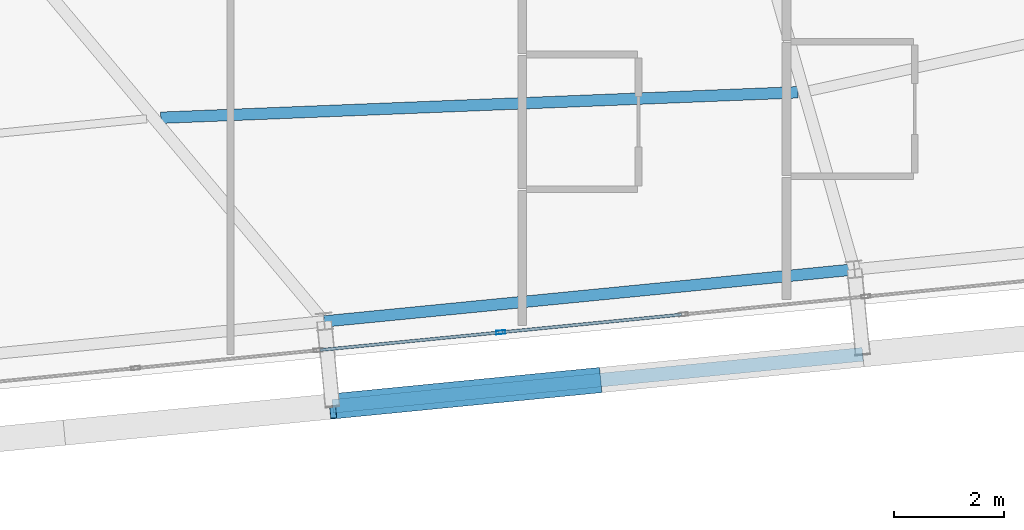
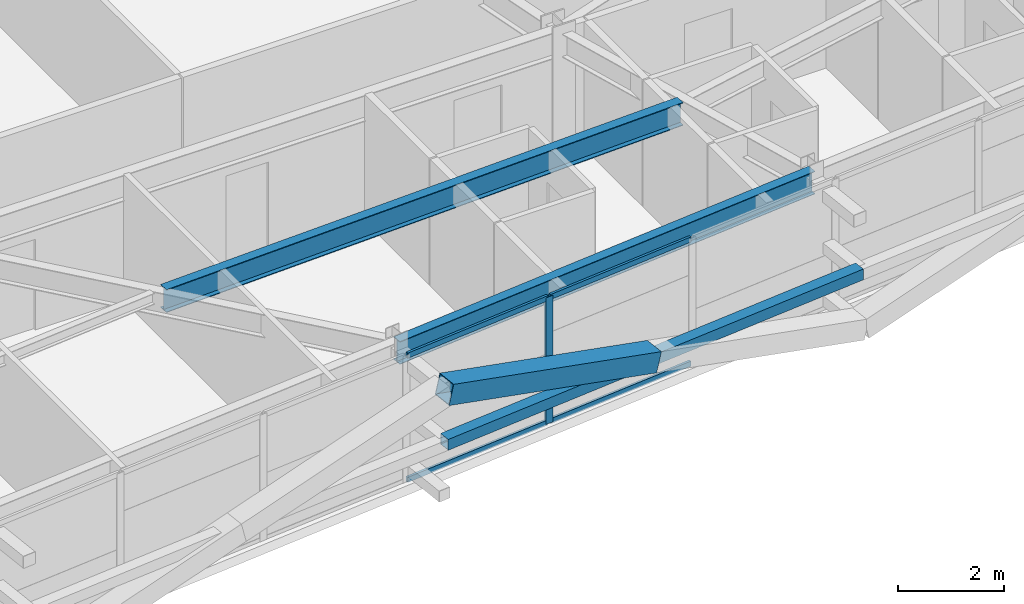
# One storey, part 11 of 53: 7 members, 2 beams, 1 element without a shape of its own.
"""IFC4 building model written with IfcOpenShell, lengths in metres."""

from ifc_helpers import new_model, si_unit, direction, frame, origin, origin_2d, place, context, subcontext, project, spatial, hollow_rectangle, i_section, extrude, source, transform, mapped, material, layer, layer_set, material_profile, profile_set, type_object, element, aggregate, save


model = new_model("IFC4")

# Units and contexts
model_context = context("Model", 3, precision=1e-05, world=origin(), true_north=direction((0.0, 1.0)))
body_context = subcontext(model_context, "Body", "Model", "MODEL_VIEW")
ifc_project = project(units=[si_unit("LENGTHUNIT", "METRE"), si_unit("AREAUNIT", "SQUARE_METRE"), si_unit("VOLUMEUNIT", "CUBIC_METRE"), si_unit("PLANEANGLEUNIT", "RADIAN"), si_unit("MASSUNIT", "GRAM", prefix="KILO")], contexts=[model_context])

# Site, building, storey
site_placement = place(None, origin())
site = spatial("IfcSite", under=ifc_project, at=site_placement, CompositionType="ELEMENT")
building_placement = place(site_placement, origin())
building = spatial("IfcBuilding", under=site, at=building_placement, Name="Taldren Reach Tower", CompositionType="ELEMENT")
storey_placement = place(building_placement, frame((0.0, 0.0, 71.39990234375)))
storey = spatial("IfcBuildingStorey", under=building, at=storey_placement, Name="L21", CompositionType="ELEMENT", Elevation=71.39990234375)

# Beams
ifc_material_1 = material(Name="Steel Gr 350 (350PLUS)", Category="steel")
ifc_material_profile_1 = material_profile(ifc_material_1, i_section(OverallWidth=0.208984375, OverallDepth=0.528076171875, WebThickness=0.009521484375, FlangeThickness=0.01318359375, at=origin_2d()), Name="530UB82.0")
ifc_profile_set_1 = profile_set([ifc_material_profile_1], Name="Steel Gr 350 (350PLUS)")
beam_type_1 = type_object("IfcBeamType", Name="SP-UB530B", PredefinedType="SPANDREL", material=ifc_profile_set_1)
shared_shape_1 = source(origin(), body_context, "Body", "SweptSolid", [
    extrude(i_section(OverallWidth=0.208984375, OverallDepth=0.528076171875, WebThickness=0.009521484375, FlangeThickness=0.01318359375, at=origin_2d()), origin(), (0.0, 0.0, 1.0), 9.679931640625),
])
beam_1_placement = place(storey_placement, frame((34.20166015625, 1.809326171875, 2.666015625), z_axis=(0.995227612658, 0.097580730699, 0.0), x_axis=(-0.097580730699, 0.995227612658, 0.0)))
element("IfcBeam", 1, at=beam_1_placement, inside=storey, type_object=beam_type_1, Name="Perimeter spandrel B2 S3-S4 L21", PredefinedType="SPANDREL", context=body_context, shape_type="MappedRepresentation", body=[
    mapped(shared_shape_1, transform((0.0, 0.0, 0.0), scale=1.0)),
])
ifc_material_profile_2 = material_profile(ifc_material_1, i_section(OverallWidth=0.208984375, OverallDepth=0.532958984375, WebThickness=0.01025390625, FlangeThickness=0.015625, at=origin_2d()), Name="530UB92.4")
ifc_profile_set_2 = profile_set([ifc_material_profile_2], Name="Steel Gr 350 (350PLUS)")
beam_type_2 = type_object("IfcBeamType", Name="BM-UB530A", PredefinedType="BEAM", material=ifc_profile_set_2)
shared_shape_2 = source(origin(), body_context, "Body", "SweptSolid", [
    extrude(i_section(OverallWidth=0.208984375, OverallDepth=0.532958984375, WebThickness=0.01025390625, FlangeThickness=0.015625, at=origin_2d()), origin(), (0.0, 0.0, 1.0), 11.586669921875),
])
beam_2_placement = place(storey_placement, frame((31.23291015625, 5.510009765625, 2.66357421875), z_axis=(0.999202506312, 0.039929329821, 0.0), x_axis=(-0.039929329821, 0.999202506312, 0.0)))
element("IfcBeam", 2, at=beam_2_placement, inside=storey, type_object=beam_type_2, Name="Secondary floor beam B2 J3 L21", PredefinedType="BEAM", context=body_context, shape_type="MappedRepresentation", body=[
    mapped(shared_shape_2, transform((0.0, 0.0, 0.0), scale=1.0)),
])

# Members
ifc_material_2 = material(Name="Steel Gr 450 (C450L0)", Category="steel")
ifc_material_profile_3 = material_profile(ifc_material_2, hollow_rectangle(XDim=0.4599609375, YDim=0.4599609375, WallThickness=0.01611328125, at=origin_2d()), Name="460x460x16.0SHS")
ifc_profile_set_3 = profile_set([ifc_material_profile_3], Name="Steel Gr 450 (C450L0)")
member_type_1 = type_object("IfcMemberType", Name="MB-EXO457", PredefinedType="BRACE", material=ifc_profile_set_3)
shared_shape_3 = source(origin(), body_context, "Body", "SweptSolid", [
    extrude(hollow_rectangle(XDim=0.4599609375, YDim=0.4599609375, WallThickness=0.01611328125, at=origin_2d()), origin(), (0.0, 0.0, 1.0), 4.990234375),
])
member_1_placement = place(storey_placement, frame((39.169921875, 0.739013671875, 1.43505859375), z_axis=(-0.965271056716, -0.094667992638, 0.243494883389), x_axis=(0.097605711627, -0.995225162995, 0.0)))
element("IfcMember", 3, at=member_1_placement, inside=storey, type_object=member_type_1, Name="Exoskeleton Diagrid Brace B2-S3 L21", PredefinedType="BRACE", context=body_context, shape_type="MappedRepresentation", body=[
    mapped(shared_shape_3, transform((0.0, 0.0, 0.0), scale=1.0)),
])
ifc_material_3 = material(Name="Steel Gr 350 (C350L0)", Category="steel")
ifc_material_profile_4 = material_profile(ifc_material_3, hollow_rectangle(XDim=0.25, YDim=0.25, WallThickness=0.010009765625, at=origin_2d()), Name="250x250x10.0SHS")
ifc_profile_set_4 = profile_set([ifc_material_profile_4], Name="Steel Gr 350 (C350L0)")
member_type_2 = type_object("IfcMemberType", Name="MB-POST250", PredefinedType="POST", material=ifc_profile_set_4)
shared_shape_4 = source(origin(), body_context, "Body", "SweptSolid", [
    extrude(hollow_rectangle(XDim=0.25, YDim=0.25, WallThickness=0.010009765625, at=origin_2d()), origin(), (0.0, 0.0, 1.0), 9.679931640625),
])
member_2_placement = place(storey_placement, frame((34.35302734375, 0.2666015625, 1.43505859375), z_axis=(0.995225162995, 0.097605711627, 0.0), x_axis=(-0.097605711627, 0.995225162995, 0.0)))
element("IfcMember", 4, at=member_2_placement, inside=storey, type_object=member_type_2, Name="Exoskeleton mid-height ring chord B2-S3 L21", PredefinedType="POST", context=body_context, shape_type="MappedRepresentation", body=[
    mapped(shared_shape_4, transform((0.0, 0.0, 0.0), scale=1.0)),
])

# Curtain wall, members
ifc_material_4 = material(Name="Aluminium and Low-E Glass Unitised System", Category="aluminium")
ifc_layer = layer(ifc_material_4, 0.159912109375)
ifc_layer_set = layer_set([ifc_layer], Name="Aluminium and Low-E Glass Unitised System")
curtain_wall_type = type_object("IfcCurtainWallType", Name="CW-SYS-3", PredefinedType="NOTDEFINED", material=ifc_layer_set)
curtain_wall_placement = place(storey_placement, origin())
curtain_wall = element("IfcCurtainWall", 5, at=curtain_wall_placement, inside=storey, type_object=curtain_wall_type, Name="Unitised curtain wall CW-L21-S", PredefinedType="NOTDEFINED")
ifc_material_5 = material(Name="Anodised Aluminium 6063-T6", Category="aluminium")
ifc_material_profile_5 = material_profile(ifc_material_5, hollow_rectangle(XDim=0.06494140625, YDim=0.1650390625, WallThickness=0.00390625, at=origin_2d()), Name="ALU-165x65x4RHS")
ifc_profile_set_5 = profile_set([ifc_material_profile_5], Name="Anodised Aluminium 6063-T6")
member_type_3 = type_object("IfcMemberType", Name="CW-MUL-165", PredefinedType="MULLION", material=ifc_profile_set_5)
shared_shape_5 = source(origin(), body_context, "Body", "SweptSolid", [
    extrude(hollow_rectangle(XDim=0.06494140625, YDim=0.1650390625, WallThickness=0.00390625, at=origin_2d()), origin(), (0.0, 0.0, 1.0), 2.93017578125),
])
member_3_placement = place(storey_placement, frame((37.40966796875, 1.611328125, 0.0), z_axis=(0.0, 0.0, 1.0), x_axis=(-0.097582999046, 0.995227390247, 0.0)))
member_3 = element("IfcMember", 6, at=member_3_placement, type_object=member_type_3, Name="CW-3 mullion 8", PredefinedType="MULLION", context=body_context, shape_type="MappedRepresentation", body=[
    mapped(shared_shape_5, transform((0.0, 0.0, 0.0), scale=1.0)),
])
ifc_material_profile_6 = material_profile(ifc_material_5, hollow_rectangle(XDim=0.054931640625, YDim=0.1201171875, WallThickness=0.0029296875, at=origin_2d()), Name="ALU-120x55x3RHS")
ifc_profile_set_6 = profile_set([ifc_material_profile_6], Name="Anodised Aluminium 6063-T6")
member_type_4 = type_object("IfcMemberType", Name="CW-TRN-135", PredefinedType="USERDEFINED", material=ifc_profile_set_6)
shared_shape_6 = source(origin(), body_context, "Body", "SweptSolid", [
    extrude(hollow_rectangle(XDim=0.054931640625, YDim=0.1201171875, WallThickness=0.0029296875, at=origin_2d()), origin(), (0.0, 0.0, 1.0), 3.268310546875),
])
member_4_placement = place(storey_placement, frame((34.124755859375, 1.289306640625, 0.027587890625), z_axis=(0.99522980512, 0.097558367146, 0.0), x_axis=(-0.097558367146, 0.99522980512, 0.0)))
member_4 = element("IfcMember", 7, at=member_4_placement, type_object=member_type_4, Name="CW-3 transom 7.1", ObjectType="TRANSOM", PredefinedType="USERDEFINED", context=body_context, shape_type="MappedRepresentation", body=[
    mapped(shared_shape_6, transform((0.0, 0.0, 0.0), scale=1.0)),
])
member_5_placement = place(storey_placement, frame((34.124755859375, 1.289306640625, 2.902587890625), z_axis=(0.99522980512, 0.097558367146, 0.0), x_axis=(-0.097558367146, 0.99522980512, 0.0)))
member_5 = element("IfcMember", 8, at=member_5_placement, type_object=member_type_4, Name="CW-3 transom 7.2", ObjectType="TRANSOM", PredefinedType="USERDEFINED", context=body_context, shape_type="MappedRepresentation", body=[
    mapped(shared_shape_6, transform((0.0, 0.0, 0.0), scale=1.0)),
])
member_6_placement = place(storey_placement, frame((37.442138671875, 1.614501953125, 0.027587890625), z_axis=(0.995222549564, 0.097632355496, 0.0), x_axis=(-0.097632355496, 0.995222549564, 0.0)))
member_6 = element("IfcMember", 9, at=member_6_placement, type_object=member_type_4, Name="CW-3 transom 8.1", ObjectType="TRANSOM", PredefinedType="USERDEFINED", context=body_context, shape_type="MappedRepresentation", body=[
    mapped(shared_shape_6, transform((0.0, 0.0, 0.0), scale=1.0)),
])
member_7_placement = place(storey_placement, frame((37.442138671875, 1.614501953125, 2.902587890625), z_axis=(0.995222549564, 0.097632355496, 0.0), x_axis=(-0.097632355496, 0.995222549564, 0.0)))
member_7 = element("IfcMember", 10, at=member_7_placement, type_object=member_type_4, Name="CW-3 transom 8.2", ObjectType="TRANSOM", PredefinedType="USERDEFINED", context=body_context, shape_type="MappedRepresentation", body=[
    mapped(shared_shape_6, transform((0.0, 0.0, 0.0), scale=1.0)),
])
aggregate(curtain_wall, [member_3, member_4, member_5, member_6, member_7])

save(model, "model.ifc")
